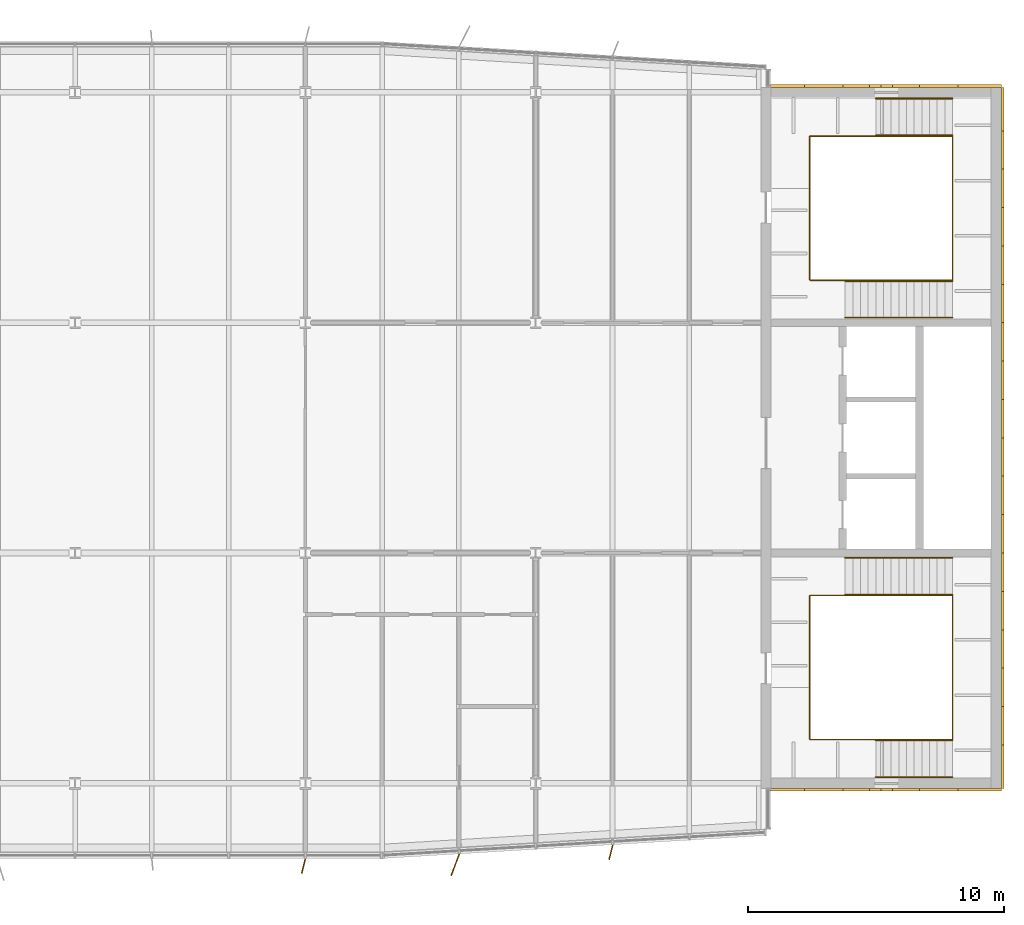
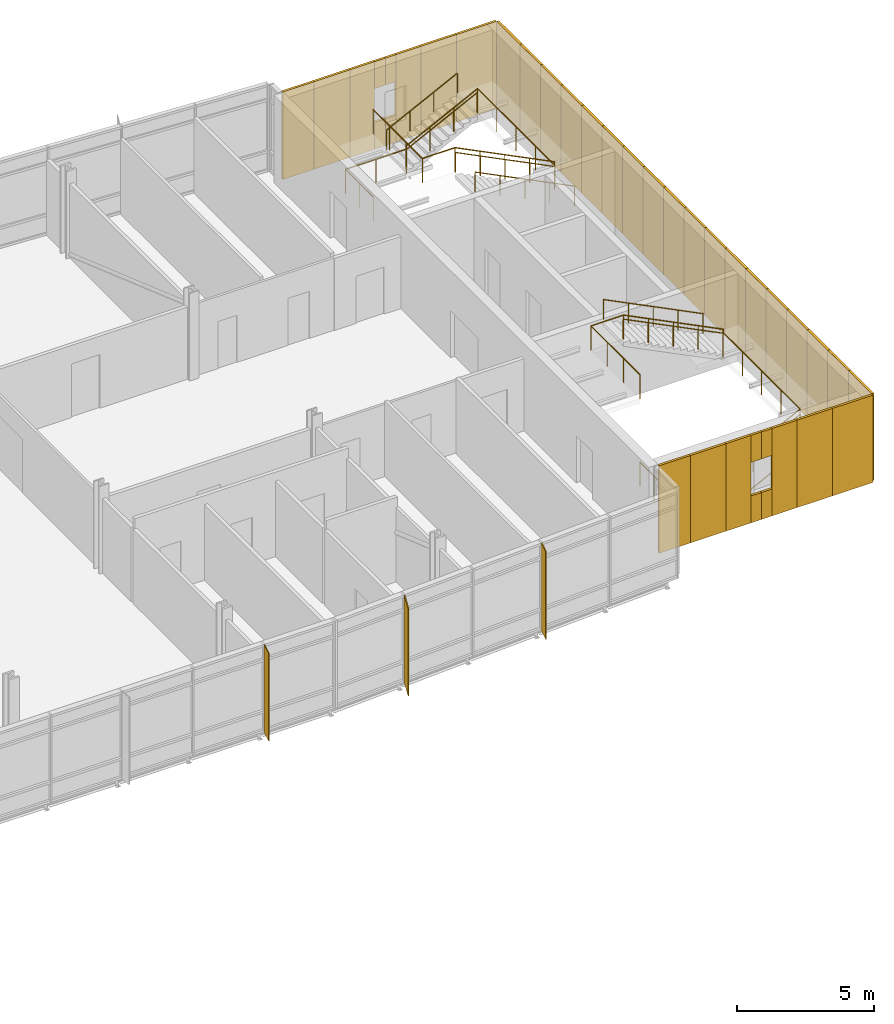
# One storey, part 20 of 21: 38 coverings, 10 railings, 3 shading devices.
"""IFC4 building model written with IfcOpenShell, lengths in metres."""

from ifc_helpers import new_model, si_unit, direction, frame, origin, origin_2d, place, context, subcontext, project, spatial, rectangle, circle, extrude, material, layer, layer_set, type_object, element, save


model = new_model("IFC4")

# Units and contexts
model_context = context("Model", 3, precision=1e-05, world=origin(), true_north=direction((0.0, 1.0)))
body_context = subcontext(model_context, "Body", "Model", "MODEL_VIEW")
ifc_project = project(units=[si_unit("LENGTHUNIT", "METRE"), si_unit("AREAUNIT", "SQUARE_METRE"), si_unit("VOLUMEUNIT", "CUBIC_METRE"), si_unit("PLANEANGLEUNIT", "RADIAN"), si_unit("MASSUNIT", "GRAM", prefix="KILO")], contexts=[model_context])

# Site, building, storey
site_placement = place(None, origin())
site = spatial("IfcSite", under=ifc_project, at=site_placement, CompositionType="ELEMENT")
building_placement = place(site_placement, origin())
building = spatial("IfcBuilding", under=site, at=building_placement, Name="Azimuth Sports and Learning Centre", CompositionType="ELEMENT")
storey_placement = place(building_placement, frame((0.0, 0.0, 32.39990234375)))
storey = spatial("IfcBuildingStorey", under=building, at=storey_placement, Name="L06", CompositionType="ELEMENT", Elevation=32.39990234375)

# Coverings
ifc_material_1 = material(Name="Cladding panel")
ifc_layer_1 = layer(ifc_material_1, 0.10009765625)
ifc_layer_set_1 = layer_set([ifc_layer_1], Name="Cladding panel")
covering_type = type_object("IfcCoveringType", Name="Cladding panel 100", PredefinedType="CLADDING", material=ifc_layer_set_1)
covering_1_placement = place(storey_placement, frame((108.840087890625, 89.75, 0.000244140625), z_axis=(0.0, 0.0, 1.0), x_axis=(1.0, 0.0, 0.0)))
element("IfcCovering", 1, at=covering_1_placement, inside=storey, type_object=covering_type, Name="Cladding panel S-CORE E L06 1", PredefinedType="CLADDING", context=body_context, shape_type="SweptSolid", body=[
    extrude(rectangle(XDim=1.320068359375, YDim=0.10009765625, at=origin_2d()), origin(), (0.0, 0.0, 1.0), 3.89990234375),
])
covering_2_placement = place(storey_placement, frame((110.25, 89.75, 0.000244140625), z_axis=(0.0, 0.0, 1.0), x_axis=(1.0, 0.0, 0.0)))
element("IfcCovering", 2, at=covering_2_placement, inside=storey, type_object=covering_type, Name="Cladding panel S-CORE E L06 2", PredefinedType="CLADDING", context=body_context, shape_type="SweptSolid", body=[
    extrude(rectangle(XDim=1.5, YDim=0.10009765625, at=origin_2d()), origin(), (0.0, 0.0, 1.0), 3.89990234375),
])
covering_3_placement = place(storey_placement, frame((111.52490234375, 89.75, 0.000244140625), z_axis=(0.0, 0.0, 1.0), x_axis=(1.0, 0.0, 0.0)))
element("IfcCovering", 3, at=covering_3_placement, inside=storey, type_object=covering_type, Name="Cladding panel S-CORE E L06 3", PredefinedType="CLADDING", context=body_context, shape_type="SweptSolid", body=[
    extrude(rectangle(XDim=1.050048828125, YDim=0.10009765625, at=origin_2d()), origin(), (0.0, 0.0, 1.0), 3.89990234375),
])
for number, where, z_axis, x_axis, name in (
    (4, (112.27490234375, 89.75, 0.0), (0.0, 0.0, 1.0), (1.0, 0.0, 0.0), "Cladding panel S-CORE E L06 4"),
    (5, (112.27490234375, 89.75, 2.7001953125), (0.0, 0.0, 1.0), (1.0, 0.0, 0.0), "Cladding panel S-CORE E L06 5"),
):
    element("IfcCovering", number, at=place(storey_placement, frame(where, z_axis=z_axis, x_axis=x_axis)), inside=storey, type_object=covering_type, Name=name, PredefinedType="CLADDING", context=body_context, shape_type="SweptSolid", body=[
        extrude(rectangle(XDim=0.449951171875, YDim=0.10009765625, at=origin_2d()), origin(), (0.0, 0.0, 1.0), 1.199951171875),
    ])
covering_4_placement = place(storey_placement, frame((113.47509765625, 89.75, 0.000244140625), z_axis=(0.0, 0.0, 1.0), x_axis=(1.0, 0.0, 0.0)))
element("IfcCovering", 6, at=covering_4_placement, inside=storey, type_object=covering_type, Name="Cladding panel S-CORE E L06 6", PredefinedType="CLADDING", context=body_context, shape_type="SweptSolid", body=[
    extrude(rectangle(XDim=1.050048828125, YDim=0.10009765625, at=origin_2d()), origin(), (0.0, 0.0, 1.0), 3.89990234375),
])
for number, where, z_axis, x_axis, name in (
    (7, (112.72509765625, 89.75, 0.0), (0.0, 0.0, 1.0), (1.0, 0.0, 0.0), "Cladding panel S-CORE E L06 7"),
    (8, (112.72509765625, 89.75, 2.7001953125), (0.0, 0.0, 1.0), (1.0, 0.0, 0.0), "Cladding panel S-CORE E L06 8"),
):
    element("IfcCovering", number, at=place(storey_placement, frame(where, z_axis=z_axis, x_axis=x_axis)), inside=storey, type_object=covering_type, Name=name, PredefinedType="CLADDING", context=body_context, shape_type="SweptSolid", body=[
        extrude(rectangle(XDim=0.449951171875, YDim=0.10009765625, at=origin_2d()), origin(), (0.0, 0.0, 1.0), 1.199951171875),
    ])
covering_5_placement = place(storey_placement, frame((114.75, 89.75, 0.000244140625), z_axis=(0.0, 0.0, 1.0), x_axis=(1.0, 0.0, 0.0)))
element("IfcCovering", 9, at=covering_5_placement, inside=storey, type_object=covering_type, Name="Cladding panel S-CORE E L06 9", PredefinedType="CLADDING", context=body_context, shape_type="SweptSolid", body=[
    extrude(rectangle(XDim=1.5, YDim=0.10009765625, at=origin_2d()), origin(), (0.0, 0.0, 1.0), 3.89990234375),
])
for number, where, z_axis, x_axis, name in (
    (10, (116.35009765625, 89.75, 0.000244140625), (0.0, 0.0, 1.0), (1.0, 0.0, 0.0), "Cladding panel S-CORE E L06 10"),
    (11, (117.25, 90.64990234375, 0.000244140625), (0.0, 0.0, 1.0), (0.0, 1.0, 0.0), "Cladding panel E-CORE E L06 1"),
):
    element("IfcCovering", number, at=place(storey_placement, frame(where, z_axis=z_axis, x_axis=x_axis)), inside=storey, type_object=covering_type, Name=name, PredefinedType="CLADDING", context=body_context, shape_type="SweptSolid", body=[
        extrude(rectangle(XDim=1.699951171875, YDim=0.10009765625, at=origin_2d()), origin(), (0.0, 0.0, 1.0), 3.89990234375),
    ])
for number, where, z_axis, x_axis, name in (
    (12, (117.25, 92.25, 0.000244140625), (0.0, 0.0, 1.0), (0.0, 1.0, 0.0), "Cladding panel E-CORE E L06 2"),
    (13, (117.25, 93.75, 0.000244140625), (0.0, 0.0, 1.0), (0.0, 1.0, 0.0), "Cladding panel E-CORE E L06 3"),
    (14, (117.25, 95.25, 0.000244140625), (0.0, 0.0, 1.0), (0.0, 1.0, 0.0), "Cladding panel E-CORE E L06 4"),
    (15, (117.25, 96.75, 0.000244140625), (0.0, 0.0, 1.0), (0.0, 1.0, 0.0), "Cladding panel E-CORE E L06 5"),
    (16, (117.25, 98.25, 0.000244140625), (0.0, 0.0, 1.0), (0.0, 1.0, 0.0), "Cladding panel E-CORE E L06 6"),
    (17, (117.25, 99.75, 0.000244140625), (0.0, 0.0, 1.0), (0.0, 1.0, 0.0), "Cladding panel E-CORE E L06 7"),
    (18, (117.25, 101.25, 0.000244140625), (0.0, 0.0, 1.0), (0.0, 1.0, 0.0), "Cladding panel E-CORE E L06 8"),
    (19, (117.25, 102.75, 0.000244140625), (0.0, 0.0, 1.0), (0.0, 1.0, 0.0), "Cladding panel E-CORE E L06 9"),
    (20, (117.25, 104.25, 0.000244140625), (0.0, 0.0, 1.0), (0.0, 1.0, 0.0), "Cladding panel E-CORE E L06 10"),
    (21, (117.25, 105.75, 0.000244140625), (0.0, 0.0, 1.0), (0.0, 1.0, 0.0), "Cladding panel E-CORE E L06 11"),
    (22, (117.25, 107.25, 0.000244140625), (0.0, 0.0, 1.0), (0.0, 1.0, 0.0), "Cladding panel E-CORE E L06 12"),
    (23, (117.25, 108.75, 0.000244140625), (0.0, 0.0, 1.0), (0.0, 1.0, 0.0), "Cladding panel E-CORE E L06 13"),
    (24, (117.25, 110.25, 0.000244140625), (0.0, 0.0, 1.0), (0.0, 1.0, 0.0), "Cladding panel E-CORE E L06 14"),
    (25, (117.25, 111.75, 0.000244140625), (0.0, 0.0, 1.0), (0.0, 1.0, 0.0), "Cladding panel E-CORE E L06 15"),
    (26, (117.25, 113.25, 0.000244140625), (0.0, 0.0, 1.0), (0.0, 1.0, 0.0), "Cladding panel E-CORE E L06 16"),
    (27, (117.25, 114.75, 0.000244140625), (0.0, 0.0, 1.0), (0.0, 1.0, 0.0), "Cladding panel E-CORE E L06 17"),
):
    element("IfcCovering", number, at=place(storey_placement, frame(where, z_axis=z_axis, x_axis=x_axis)), inside=storey, type_object=covering_type, Name=name, PredefinedType="CLADDING", context=body_context, shape_type="SweptSolid", body=[
        extrude(rectangle(XDim=1.5, YDim=0.10009765625, at=origin_2d()), origin(), (0.0, 0.0, 1.0), 3.89990234375),
    ])
for number, where, z_axis, x_axis, name in (
    (28, (117.25, 116.35009765625, 0.000244140625), (0.0, 0.0, 1.0), (0.0, 1.0, 0.0), "Cladding panel E-CORE E L06 18"),
    (29, (116.35009765625, 117.25, 0.000244140625), (0.0, 0.0, 1.0), (-1.0, 0.0, 0.0), "Cladding panel N-CORE E L06 1"),
):
    element("IfcCovering", number, at=place(storey_placement, frame(where, z_axis=z_axis, x_axis=x_axis)), inside=storey, type_object=covering_type, Name=name, PredefinedType="CLADDING", context=body_context, shape_type="SweptSolid", body=[
        extrude(rectangle(XDim=1.699951171875, YDim=0.10009765625, at=origin_2d()), origin(), (0.0, 0.0, 1.0), 3.89990234375),
    ])
covering_6_placement = place(storey_placement, frame((114.75, 117.25, 0.000244140625), z_axis=(0.0, 0.0, 1.0), x_axis=(-1.0, 0.0, 0.0)))
element("IfcCovering", 30, at=covering_6_placement, inside=storey, type_object=covering_type, Name="Cladding panel N-CORE E L06 2", PredefinedType="CLADDING", context=body_context, shape_type="SweptSolid", body=[
    extrude(rectangle(XDim=1.5, YDim=0.10009765625, at=origin_2d()), origin(), (0.0, 0.0, 1.0), 3.89990234375),
])
covering_7_placement = place(storey_placement, frame((113.47509765625, 117.25, 0.000244140625), z_axis=(0.0, 0.0, 1.0), x_axis=(-1.0, 0.0, 0.0)))
element("IfcCovering", 31, at=covering_7_placement, inside=storey, type_object=covering_type, Name="Cladding panel N-CORE E L06 3", PredefinedType="CLADDING", context=body_context, shape_type="SweptSolid", body=[
    extrude(rectangle(XDim=1.050048828125, YDim=0.10009765625, at=origin_2d()), origin(), (0.0, 0.0, 1.0), 3.89990234375),
])
for number, where, z_axis, x_axis, name in (
    (32, (112.72509765625, 117.25, 0.0), (0.0, 0.0, 1.0), (-1.0, 0.0, 0.0), "Cladding panel N-CORE E L06 4"),
    (33, (112.72509765625, 117.25, 2.7001953125), (0.0, 0.0, 1.0), (-1.0, 0.0, 0.0), "Cladding panel N-CORE E L06 5"),
):
    element("IfcCovering", number, at=place(storey_placement, frame(where, z_axis=z_axis, x_axis=x_axis)), inside=storey, type_object=covering_type, Name=name, PredefinedType="CLADDING", context=body_context, shape_type="SweptSolid", body=[
        extrude(rectangle(XDim=0.449951171875, YDim=0.10009765625, at=origin_2d()), origin(), (0.0, 0.0, 1.0), 1.199951171875),
    ])
covering_8_placement = place(storey_placement, frame((111.52490234375, 117.25, 0.000244140625), z_axis=(0.0, 0.0, 1.0), x_axis=(-1.0, 0.0, 0.0)))
element("IfcCovering", 34, at=covering_8_placement, inside=storey, type_object=covering_type, Name="Cladding panel N-CORE E L06 6", PredefinedType="CLADDING", context=body_context, shape_type="SweptSolid", body=[
    extrude(rectangle(XDim=1.050048828125, YDim=0.10009765625, at=origin_2d()), origin(), (0.0, 0.0, 1.0), 3.89990234375),
])
for number, where, z_axis, x_axis, name in (
    (35, (112.27490234375, 117.25, 0.0), (0.0, 0.0, 1.0), (-1.0, 0.0, 0.0), "Cladding panel N-CORE E L06 7"),
    (36, (112.27490234375, 117.25, 2.7001953125), (0.0, 0.0, 1.0), (-1.0, 0.0, 0.0), "Cladding panel N-CORE E L06 8"),
):
    element("IfcCovering", number, at=place(storey_placement, frame(where, z_axis=z_axis, x_axis=x_axis)), inside=storey, type_object=covering_type, Name=name, PredefinedType="CLADDING", context=body_context, shape_type="SweptSolid", body=[
        extrude(rectangle(XDim=0.449951171875, YDim=0.10009765625, at=origin_2d()), origin(), (0.0, 0.0, 1.0), 1.199951171875),
    ])
covering_9_placement = place(storey_placement, frame((110.25, 117.25, 0.000244140625), z_axis=(0.0, 0.0, 1.0), x_axis=(-1.0, 0.0, 0.0)))
element("IfcCovering", 37, at=covering_9_placement, inside=storey, type_object=covering_type, Name="Cladding panel N-CORE E L06 9", PredefinedType="CLADDING", context=body_context, shape_type="SweptSolid", body=[
    extrude(rectangle(XDim=1.5, YDim=0.10009765625, at=origin_2d()), origin(), (0.0, 0.0, 1.0), 3.89990234375),
])
covering_10_placement = place(storey_placement, frame((108.840087890625, 117.25, 0.000244140625), z_axis=(0.0, 0.0, 1.0), x_axis=(-1.0, 0.0, 0.0)))
element("IfcCovering", 38, at=covering_10_placement, inside=storey, type_object=covering_type, Name="Cladding panel N-CORE E L06 10", PredefinedType="CLADDING", context=body_context, shape_type="SweptSolid", body=[
    extrude(rectangle(XDim=1.320068359375, YDim=0.10009765625, at=origin_2d()), origin(), (0.0, 0.0, 1.0), 3.89990234375),
])

# Shading devices
ifc_material_2 = material(Name="Aluminium", Category="aluminium")
ifc_layer_2 = layer(ifc_material_2, 0.0400390625)
ifc_layer_set_2 = layer_set([ifc_layer_2], Name="Aluminium")
shading_device_type_1 = type_object("IfcShadingDeviceType", Name="Shading fin 600", PredefinedType="JALOUSIE", material=ifc_layer_set_2)
for number, where, z_axis, x_axis, name in (
    (39, (89.927001953125, 86.76904296875, 0.000244140625), (0.0, 0.0, 1.0), (-0.243730896369, -0.969842899729, 0.0), "Shading fin F06-005"),
    (40, (101.939697265625, 87.309814453125, 0.000244140625), (0.0, 0.0, 1.0), (-0.24872137434, -0.968575076051, 0.0), "Shading fin F06-007"),
):
    element("IfcShadingDevice", number, at=place(storey_placement, frame(where, z_axis=z_axis, x_axis=x_axis)), inside=storey, type_object=shading_device_type_1, Name=name, PredefinedType="JALOUSIE", context=body_context, shape_type="SweptSolid", body=[
        extrude(rectangle(XDim=0.60009765625, YDim=0.0400390625, at=origin_2d()), origin(), (0.0, 0.0, 1.0), 3.89990234375),
    ])
ifc_material_3 = material(Name="Aluminium", Category="aluminium")
ifc_layer_3 = layer(ifc_material_3, 0.0400390625)
ifc_layer_set_3 = layer_set([ifc_layer_3], Name="Aluminium")
shading_device_type_2 = type_object("IfcShadingDeviceType", Name="Shading fin 900", PredefinedType="JALOUSIE", material=ifc_layer_set_3)
shading_device_placement = place(storey_placement, frame((95.857177734375, 86.81884765625, 0.000244140625), z_axis=(0.0, 0.0, 1.0), x_axis=(-0.349143100646, -0.937069418598, 0.0)))
element("IfcShadingDevice", 41, at=shading_device_placement, inside=storey, type_object=shading_device_type_2, Name="Shading fin F06-006", PredefinedType="JALOUSIE", context=body_context, shape_type="SweptSolid", body=[
    extrude(rectangle(XDim=0.89990234375, YDim=0.0400390625, at=origin_2d()), origin(), (0.0, 0.0, 1.0), 3.89990234375),
])

# Railings
ifc_material_4 = material(Name="Stainless steel", Category="steel")
railing_type_1 = type_object("IfcRailingType", Name="Stair guard 1100", PredefinedType="GUARDRAIL", material=ifc_material_4)
railing_1_placement = place(storey_placement, frame((109.7099609375, 93.75, 0.0)))
element("IfcRailing", 42, at=railing_1_placement, inside=storey, type_object=railing_type_1, Name="Guard E1 L06 well", PredefinedType="GUARDRAIL", context=body_context, shape_type="SweptSolid", body=[
    extrude(circle(Radius=0.02392578125, at=origin_2d()), frame((0.0, 0.0, 1.076171875), z_axis=(0.0, -1.0, 0.0), x_axis=(1.0, 0.0, 0.0)), (0.0, 0.0, 1.0), 2.0400390625),
    extrude(circle(Radius=0.02392578125, at=origin_2d()), frame((0.0, -2.0400390625, 1.076171875), z_axis=(1.0, 0.0, 0.0), x_axis=(0.0, 1.0, 0.0)), (0.0, 0.0, 1.0), 2.580078125),
    extrude(circle(Radius=0.02392578125, at=origin_2d()), frame((2.580078125, -2.0400390625, 1.076171875), z_axis=(0.0, 0.0, 1.0), x_axis=(1.0, 0.0, 0.0)), (0.0, 0.0, 1.0), 0.150146484375),
    extrude(circle(Radius=0.02392578125, at=origin_2d()), frame((2.580078125, -2.0400390625, 1.22607421875), z_axis=(0.894427191, 0.0, 0.4472135955), x_axis=(0.0, 1.0, 0.0)), (0.0, 0.0, 1.0), 3.35400390625),
    extrude(circle(Radius=0.02392578125, at=origin_2d()), frame((5.580078125, -2.0400390625, 2.72607421875), z_axis=(0.0, 1.0, 0.0), x_axis=(-1.0, 0.0, 0.0)), (0.0, 0.0, 1.0), 5.630126953125),
    extrude(circle(Radius=0.02392578125, at=origin_2d()), frame((5.580078125, 3.590087890625, 2.72607421875), z_axis=(0.0, 0.0, 1.0), x_axis=(1.0, 0.0, 0.0)), (0.0, 0.0, 1.0), 0.14990234375),
    extrude(circle(Radius=0.02392578125, at=origin_2d()), frame((5.580078125, 3.590087890625, 2.8759765625), z_axis=(-0.894416792377, 0.0, 0.447234392142), x_axis=(0.0, -1.0, 0.0)), (0.0, 0.0, 1.0), 4.69580078125),
    extrude(circle(Radius=0.02392578125, at=origin_2d()), frame((1.380126953125, 3.590087890625, 4.97607421875), z_axis=(-1.0, 0.0, 0.0), x_axis=(0.0, -1.0, 0.0)), (0.0, 0.0, 1.0), 1.380126953125),
    extrude(circle(Radius=0.02392578125, at=origin_2d()), frame((0.0, 3.590087890625, 4.97607421875), z_axis=(0.0, -1.0, 0.0), x_axis=(1.0, 0.0, 0.0)), (0.0, 0.0, 1.0), 3.590087890625),
    extrude(circle(Radius=0.01611328125, at=origin_2d()), origin(), (0.0, 0.0, 1.0), 1.052001953125),
    extrude(circle(Radius=0.01611328125, at=origin_2d()), frame((0.0, -1.02001953125, 0.0)), (0.0, 0.0, 1.0), 1.052001953125),
    extrude(circle(Radius=0.01611328125, at=origin_2d()), frame((0.0, -2.0400390625, 0.0)), (0.0, 0.0, 1.0), 1.052001953125),
    extrude(circle(Radius=0.01611328125, at=origin_2d()), frame((1.2900390625, -2.0400390625, 0.0)), (0.0, 0.0, 1.0), 1.052001953125),
    extrude(circle(Radius=0.01611328125, at=origin_2d()), frame((2.580078125, -2.0400390625, 0.0)), (0.0, 0.0, 1.0), 1.052001953125),
    extrude(circle(Radius=0.01611328125, at=origin_2d()), frame((2.580078125, -2.0400390625, 0.150146484375)), (0.0, 0.0, 1.0), 1.052001953125),
    extrude(circle(Radius=0.01611328125, at=origin_2d()), frame((3.580078125, -2.0400390625, 0.650146484375)), (0.0, 0.0, 1.0), 1.052001953125),
    extrude(circle(Radius=0.01611328125, at=origin_2d()), frame((4.580078125, -2.0400390625, 1.150146484375)), (0.0, 0.0, 1.0), 1.052001953125),
    extrude(circle(Radius=0.01611328125, at=origin_2d()), frame((5.580078125, -2.0400390625, 1.650146484375)), (0.0, 0.0, 1.0), 1.052001953125),
    extrude(circle(Radius=0.01611328125, at=origin_2d()), frame((5.580078125, -0.632568359375, 1.650146484375)), (0.0, 0.0, 1.0), 1.052001953125),
    extrude(circle(Radius=0.01611328125, at=origin_2d()), frame((5.580078125, 0.77490234375, 1.650146484375)), (0.0, 0.0, 1.0), 1.052001953125),
    extrude(circle(Radius=0.01611328125, at=origin_2d()), frame((5.580078125, 2.1826171875, 1.650146484375)), (0.0, 0.0, 1.0), 1.052001953125),
    extrude(circle(Radius=0.01611328125, at=origin_2d()), frame((5.580078125, 3.590087890625, 1.650146484375)), (0.0, 0.0, 1.0), 1.052001953125),
    extrude(circle(Radius=0.01611328125, at=origin_2d()), frame((5.580078125, 3.590087890625, 1.800048828125)), (0.0, 0.0, 1.0), 1.052001953125),
    extrude(circle(Radius=0.01611328125, at=origin_2d()), frame((4.530029296875, 3.590087890625, 2.3251953125)), (0.0, 0.0, 1.0), 1.052001953125),
    extrude(circle(Radius=0.01611328125, at=origin_2d()), frame((3.47998046875, 3.590087890625, 2.85009765625)), (0.0, 0.0, 1.0), 1.052001953125),
    extrude(circle(Radius=0.01611328125, at=origin_2d()), frame((2.43017578125, 3.590087890625, 3.375)), (0.0, 0.0, 1.0), 1.052001953125),
    extrude(circle(Radius=0.01611328125, at=origin_2d()), frame((1.380126953125, 3.590087890625, 3.900146484375)), (0.0, 0.0, 1.0), 1.052001953125),
    extrude(circle(Radius=0.01611328125, at=origin_2d()), frame((0.0, 3.590087890625, 3.900146484375)), (0.0, 0.0, 1.0), 1.052001953125),
    extrude(circle(Radius=0.01611328125, at=origin_2d()), frame((0.0, 2.393310546875, 3.900146484375)), (0.0, 0.0, 1.0), 1.052001953125),
    extrude(circle(Radius=0.01611328125, at=origin_2d()), frame((0.0, 1.19677734375, 3.900146484375)), (0.0, 0.0, 1.0), 1.052001953125),
    extrude(circle(Radius=0.01611328125, at=origin_2d()), frame((0.0, 0.0, 3.900146484375)), (0.0, 0.0, 1.0), 1.052001953125),
])
railing_2_placement = place(storey_placement, frame((109.7099609375, 113.25, 0.0)))
element("IfcRailing", 43, at=railing_2_placement, inside=storey, type_object=railing_type_1, Name="Guard E2 L06 well", PredefinedType="GUARDRAIL", context=body_context, shape_type="SweptSolid", body=[
    extrude(circle(Radius=0.02392578125, at=origin_2d()), frame((0.0, 0.0, 1.076171875), z_axis=(0.0, 1.0, 0.0), x_axis=(-1.0, 0.0, 0.0)), (0.0, 0.0, 1.0), 2.0400390625),
    extrude(circle(Radius=0.02392578125, at=origin_2d()), frame((0.0, 2.0400390625, 1.076171875), z_axis=(1.0, 0.0, 0.0), x_axis=(0.0, 1.0, 0.0)), (0.0, 0.0, 1.0), 2.580078125),
    extrude(circle(Radius=0.02392578125, at=origin_2d()), frame((2.580078125, 2.0400390625, 1.076171875), z_axis=(0.0, 0.0, 1.0), x_axis=(1.0, 0.0, 0.0)), (0.0, 0.0, 1.0), 0.150146484375),
    extrude(circle(Radius=0.02392578125, at=origin_2d()), frame((2.580078125, 2.0400390625, 1.22607421875), z_axis=(0.894427191, 0.0, 0.4472135955), x_axis=(0.0, 1.0, 0.0)), (0.0, 0.0, 1.0), 3.35400390625),
    extrude(circle(Radius=0.02392578125, at=origin_2d()), frame((5.580078125, 2.0400390625, 2.72607421875), z_axis=(0.0, -1.0, 0.0), x_axis=(1.0, 0.0, 0.0)), (0.0, 0.0, 1.0), 5.630126953125),
    extrude(circle(Radius=0.02392578125, at=origin_2d()), frame((5.580078125, -3.590087890625, 2.72607421875), z_axis=(0.0, 0.0, 1.0), x_axis=(1.0, 0.0, 0.0)), (0.0, 0.0, 1.0), 0.14990234375),
    extrude(circle(Radius=0.02392578125, at=origin_2d()), frame((5.580078125, -3.590087890625, 2.8759765625), z_axis=(-0.894416792377, 0.0, 0.447234392142), x_axis=(0.0, -1.0, 0.0)), (0.0, 0.0, 1.0), 4.69580078125),
    extrude(circle(Radius=0.02392578125, at=origin_2d()), frame((1.380126953125, -3.590087890625, 4.97607421875), z_axis=(-1.0, 0.0, 0.0), x_axis=(0.0, -1.0, 0.0)), (0.0, 0.0, 1.0), 1.380126953125),
    extrude(circle(Radius=0.02392578125, at=origin_2d()), frame((0.0, -3.590087890625, 4.97607421875), z_axis=(0.0, 1.0, 0.0), x_axis=(-1.0, 0.0, 0.0)), (0.0, 0.0, 1.0), 3.590087890625),
    extrude(circle(Radius=0.01611328125, at=origin_2d()), origin(), (0.0, 0.0, 1.0), 1.052001953125),
    extrude(circle(Radius=0.01611328125, at=origin_2d()), frame((0.0, 1.02001953125, 0.0)), (0.0, 0.0, 1.0), 1.052001953125),
    extrude(circle(Radius=0.01611328125, at=origin_2d()), frame((0.0, 2.0400390625, 0.0)), (0.0, 0.0, 1.0), 1.052001953125),
    extrude(circle(Radius=0.01611328125, at=origin_2d()), frame((1.2900390625, 2.0400390625, 0.0)), (0.0, 0.0, 1.0), 1.052001953125),
    extrude(circle(Radius=0.01611328125, at=origin_2d()), frame((2.580078125, 2.0400390625, 0.0)), (0.0, 0.0, 1.0), 1.052001953125),
    extrude(circle(Radius=0.01611328125, at=origin_2d()), frame((2.580078125, 2.0400390625, 0.150146484375)), (0.0, 0.0, 1.0), 1.052001953125),
    extrude(circle(Radius=0.01611328125, at=origin_2d()), frame((3.580078125, 2.0400390625, 0.650146484375)), (0.0, 0.0, 1.0), 1.052001953125),
    extrude(circle(Radius=0.01611328125, at=origin_2d()), frame((4.580078125, 2.0400390625, 1.150146484375)), (0.0, 0.0, 1.0), 1.052001953125),
    extrude(circle(Radius=0.01611328125, at=origin_2d()), frame((5.580078125, 2.0400390625, 1.650146484375)), (0.0, 0.0, 1.0), 1.052001953125),
    extrude(circle(Radius=0.01611328125, at=origin_2d()), frame((5.580078125, 0.632568359375, 1.650146484375)), (0.0, 0.0, 1.0), 1.052001953125),
    extrude(circle(Radius=0.01611328125, at=origin_2d()), frame((5.580078125, -0.77490234375, 1.650146484375)), (0.0, 0.0, 1.0), 1.052001953125),
    extrude(circle(Radius=0.01611328125, at=origin_2d()), frame((5.580078125, -2.1826171875, 1.650146484375)), (0.0, 0.0, 1.0), 1.052001953125),
    extrude(circle(Radius=0.01611328125, at=origin_2d()), frame((5.580078125, -3.590087890625, 1.650146484375)), (0.0, 0.0, 1.0), 1.052001953125),
    extrude(circle(Radius=0.01611328125, at=origin_2d()), frame((5.580078125, -3.590087890625, 1.800048828125)), (0.0, 0.0, 1.0), 1.052001953125),
    extrude(circle(Radius=0.01611328125, at=origin_2d()), frame((4.530029296875, -3.590087890625, 2.3251953125)), (0.0, 0.0, 1.0), 1.052001953125),
    extrude(circle(Radius=0.01611328125, at=origin_2d()), frame((3.47998046875, -3.590087890625, 2.85009765625)), (0.0, 0.0, 1.0), 1.052001953125),
    extrude(circle(Radius=0.01611328125, at=origin_2d()), frame((2.43017578125, -3.590087890625, 3.375)), (0.0, 0.0, 1.0), 1.052001953125),
    extrude(circle(Radius=0.01611328125, at=origin_2d()), frame((1.380126953125, -3.590087890625, 3.900146484375)), (0.0, 0.0, 1.0), 1.052001953125),
    extrude(circle(Radius=0.01611328125, at=origin_2d()), frame((0.0, -3.590087890625, 3.900146484375)), (0.0, 0.0, 1.0), 1.052001953125),
    extrude(circle(Radius=0.01611328125, at=origin_2d()), frame((0.0, -2.393310546875, 3.900146484375)), (0.0, 0.0, 1.0), 1.052001953125),
    extrude(circle(Radius=0.01611328125, at=origin_2d()), frame((0.0, -1.19677734375, 3.900146484375)), (0.0, 0.0, 1.0), 1.052001953125),
    extrude(circle(Radius=0.01611328125, at=origin_2d()), frame((0.0, 0.0, 3.900146484375)), (0.0, 0.0, 1.0), 1.052001953125),
])
ifc_material_5 = material(Name="Stainless steel", Category="steel")
railing_type_2 = type_object("IfcRailingType", Name="Stair handrail 42", PredefinedType="HANDRAIL", material=ifc_material_5)
for number, where, name in (
    (44, (112.2900390625, 91.679931640625, 0.150146484375), "Handrail E1 L06 flight 1 inner"),
    (45, (112.2900390625, 90.239990234375, 0.150146484375), "Handrail E1 L06 flight 1 outer"),
):
    element("IfcRailing", number, at=place(storey_placement, frame(where)), inside=storey, type_object=railing_type_2, Name=name, PredefinedType="HANDRAIL", context=body_context, shape_type="SweptSolid", body=[
        extrude(circle(Radius=0.02099609375, at=origin_2d()), frame((0.0, 0.0, 0.87890625), z_axis=(0.894427191, 0.0, 0.4472135955), x_axis=(0.0, 1.0, 0.0)), (0.0, 0.0, 1.0), 3.35400390625),
        extrude(circle(Radius=0.01611328125, at=origin_2d()), origin(), (0.0, 0.0, 1.0), 0.85791015625),
        extrude(circle(Radius=0.01611328125, at=origin_2d()), frame((1.0, 0.0, 0.5)), (0.0, 0.0, 1.0), 0.85791015625),
        extrude(circle(Radius=0.01611328125, at=origin_2d()), frame((2.0, 0.0, 1.0)), (0.0, 0.0, 1.0), 0.85791015625),
        extrude(circle(Radius=0.01611328125, at=origin_2d()), frame((3.0, 0.0, 1.5)), (0.0, 0.0, 1.0), 0.85791015625),
    ])
for number, where, name in (
    (46, (115.2900390625, 97.3701171875, 1.800048828125), "Handrail E1 L06 flight 2 inner"),
    (47, (115.2900390625, 98.81005859375, 1.800048828125), "Handrail E1 L06 flight 2 outer"),
):
    element("IfcRailing", number, at=place(storey_placement, frame(where)), inside=storey, type_object=railing_type_2, Name=name, PredefinedType="HANDRAIL", context=body_context, shape_type="SweptSolid", body=[
        extrude(circle(Radius=0.02099609375, at=origin_2d()), frame((0.0, 0.0, 0.87890625), z_axis=(-0.894416792377, 0.0, 0.447234392142), x_axis=(0.0, -1.0, 0.0)), (0.0, 0.0, 1.0), 4.69580078125),
        extrude(circle(Radius=0.01611328125, at=origin_2d()), origin(), (0.0, 0.0, 1.0), 0.85791015625),
        extrude(circle(Radius=0.01611328125, at=origin_2d()), frame((-1.050048828125, 0.0, 0.52490234375)), (0.0, 0.0, 1.0), 0.85791015625),
        extrude(circle(Radius=0.01611328125, at=origin_2d()), frame((-2.10009765625, 0.0, 1.050048828125)), (0.0, 0.0, 1.0), 0.85791015625),
        extrude(circle(Radius=0.01611328125, at=origin_2d()), frame((-3.14990234375, 0.0, 1.5751953125)), (0.0, 0.0, 1.0), 0.85791015625),
        extrude(circle(Radius=0.01611328125, at=origin_2d()), frame((-4.199951171875, 0.0, 2.10009765625)), (0.0, 0.0, 1.0), 0.85791015625),
    ])
for number, where, name in (
    (48, (112.2900390625, 115.320068359375, 0.150146484375), "Handrail E2 L06 flight 1 inner"),
    (49, (112.2900390625, 116.760009765625, 0.150146484375), "Handrail E2 L06 flight 1 outer"),
):
    element("IfcRailing", number, at=place(storey_placement, frame(where)), inside=storey, type_object=railing_type_2, Name=name, PredefinedType="HANDRAIL", context=body_context, shape_type="SweptSolid", body=[
        extrude(circle(Radius=0.02099609375, at=origin_2d()), frame((0.0, 0.0, 0.87890625), z_axis=(0.894427191, 0.0, 0.4472135955), x_axis=(0.0, 1.0, 0.0)), (0.0, 0.0, 1.0), 3.35400390625),
        extrude(circle(Radius=0.01611328125, at=origin_2d()), origin(), (0.0, 0.0, 1.0), 0.85791015625),
        extrude(circle(Radius=0.01611328125, at=origin_2d()), frame((1.0, 0.0, 0.5)), (0.0, 0.0, 1.0), 0.85791015625),
        extrude(circle(Radius=0.01611328125, at=origin_2d()), frame((2.0, 0.0, 1.0)), (0.0, 0.0, 1.0), 0.85791015625),
        extrude(circle(Radius=0.01611328125, at=origin_2d()), frame((3.0, 0.0, 1.5)), (0.0, 0.0, 1.0), 0.85791015625),
    ])
for number, where, name in (
    (50, (115.2900390625, 109.6298828125, 1.800048828125), "Handrail E2 L06 flight 2 inner"),
    (51, (115.2900390625, 108.18994140625, 1.800048828125), "Handrail E2 L06 flight 2 outer"),
):
    element("IfcRailing", number, at=place(storey_placement, frame(where)), inside=storey, type_object=railing_type_2, Name=name, PredefinedType="HANDRAIL", context=body_context, shape_type="SweptSolid", body=[
        extrude(circle(Radius=0.02099609375, at=origin_2d()), frame((0.0, 0.0, 0.87890625), z_axis=(-0.894416792377, 0.0, 0.447234392142), x_axis=(0.0, -1.0, 0.0)), (0.0, 0.0, 1.0), 4.69580078125),
        extrude(circle(Radius=0.01611328125, at=origin_2d()), origin(), (0.0, 0.0, 1.0), 0.85791015625),
        extrude(circle(Radius=0.01611328125, at=origin_2d()), frame((-1.050048828125, 0.0, 0.52490234375)), (0.0, 0.0, 1.0), 0.85791015625),
        extrude(circle(Radius=0.01611328125, at=origin_2d()), frame((-2.10009765625, 0.0, 1.050048828125)), (0.0, 0.0, 1.0), 0.85791015625),
        extrude(circle(Radius=0.01611328125, at=origin_2d()), frame((-3.14990234375, 0.0, 1.5751953125)), (0.0, 0.0, 1.0), 0.85791015625),
        extrude(circle(Radius=0.01611328125, at=origin_2d()), frame((-4.199951171875, 0.0, 2.10009765625)), (0.0, 0.0, 1.0), 0.85791015625),
    ])

save(model, "model.ifc")
